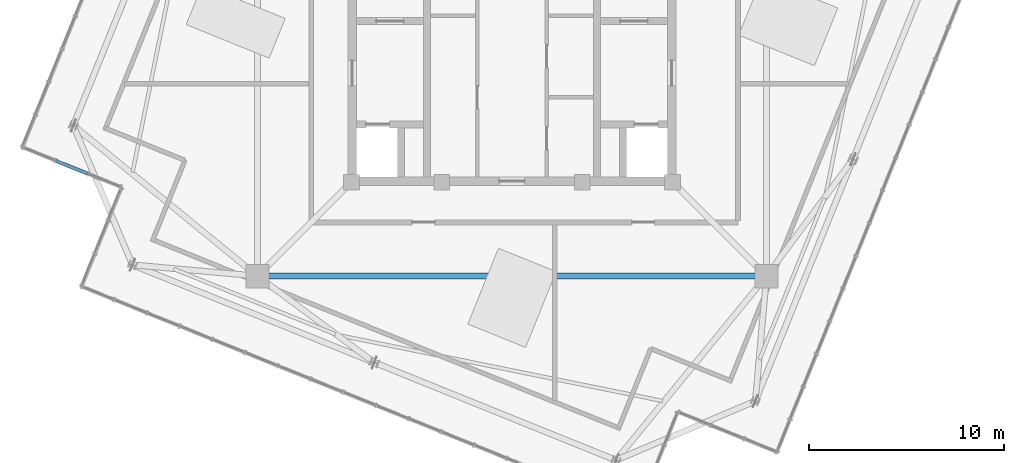
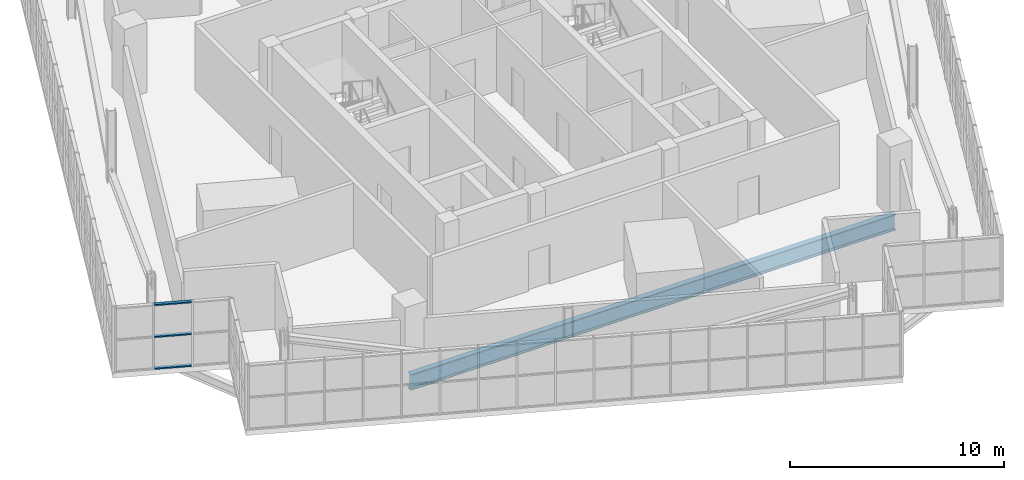
# One storey, part 5 of 26: 3 members, 1 beam, 1 element without a shape of its own.
"""IFC4 building model written with IfcOpenShell, lengths in metres."""

from ifc_helpers import new_model, si_unit, direction, frame, origin, origin_2d, place, context, subcontext, project, spatial, hollow_rectangle, i_section, extrude, source, transform, mapped, material, layer, layer_set, material_profile, profile_set, type_object, element, aggregate, save


model = new_model("IFC4")

# Units and contexts
model_context = context("Model", 3, precision=1e-05, world=origin(), true_north=direction((0.0, 1.0)))
body_context = subcontext(model_context, "Body", "Model", "MODEL_VIEW")
ifc_project = project(units=[si_unit("LENGTHUNIT", "METRE"), si_unit("AREAUNIT", "SQUARE_METRE"), si_unit("VOLUMEUNIT", "CUBIC_METRE"), si_unit("PLANEANGLEUNIT", "RADIAN"), si_unit("MASSUNIT", "GRAM", prefix="KILO"), si_unit("THERMODYNAMICTEMPERATUREUNIT", "KELVIN")], contexts=[model_context])

# Site, building, storey
site_placement = place(None, origin())
site = spatial("IfcSite", under=ifc_project, at=site_placement, CompositionType="ELEMENT")
building_placement = place(site_placement, origin())
building = spatial("IfcBuilding", under=site, at=building_placement, Name="Kosmvard Interchange Tower", CompositionType="ELEMENT")
storey_placement = place(building_placement, frame((0.0, 0.0, 333.60009765625)))
storey = spatial("IfcBuildingStorey", under=building, at=storey_placement, Name="L82", CompositionType="ELEMENT", Elevation=333.60009765625)

# Beam
ifc_material_1 = material(Name="Steel S355", Category="steel")
ifc_material_profile_1 = material_profile(ifc_material_1, i_section(OverallWidth=0.300048828125, OverallDepth=0.89990234375, WebThickness=0.0185546875, FlangeThickness=0.034912109375, FilletRadius=0.030029296875, at=origin_2d()), Name="HEB 900")
ifc_profile_set_1 = profile_set([ifc_material_profile_1], Name="Steel S355")
beam_type = type_object("IfcBeamType", Name="Mega-Column Ring Girder HEB 900 S355", PredefinedType="BEAM", material=ifc_profile_set_1)
shared_shape_1 = source(origin(), body_context, "Body", "SweptSolid", [
    extrude(i_section(OverallWidth=0.300048828125, OverallDepth=0.89990234375, WebThickness=0.0185546875, FlangeThickness=0.034912109375, FilletRadius=0.030029296875, at=origin_2d()), origin(), (0.0, 0.0, 1.0), 26.162109375),
])
beam_placement = place(storey_placement, frame((-13.0810546875, -13.0810546875, -0.75), z_axis=(1.0, 0.0, 0.0), x_axis=(0.0, 1.0, 0.0)))
element("IfcBeam", 1, at=beam_placement, inside=storey, type_object=beam_type, Name="L82 Mega-Column Ring Girder 1", PredefinedType="BEAM", context=body_context, shape_type="MappedRepresentation", body=[
    mapped(shared_shape_1, transform((0.0, 0.0, 0.0), scale=1.0)),
])

# Curtain wall, members
ifc_material_2 = material(Name="Architectural anodised aluminium", Category="aluminium")
ifc_layer = layer(ifc_material_2, 0.25, Name="Architectural anodised aluminium")
ifc_layer_set = layer_set([ifc_layer], Name="Architectural anodised aluminium")
curtain_wall_type = type_object("IfcCurtainWallType", Name="CW-6 Illuminated Crown Lantern Curtain Wall", PredefinedType="NOTDEFINED", material=ifc_layer_set)
curtain_wall_placement = place(storey_placement, origin())
curtain_wall = element("IfcCurtainWall", 2, at=curtain_wall_placement, inside=storey, type_object=curtain_wall_type, Name="L82 Crown Lantern Glazing Face 08", PredefinedType="NOTDEFINED")
ifc_material_profile_2 = material_profile(ifc_material_2, hollow_rectangle(XDim=0.179931640625, YDim=0.070068359375, WallThickness=0.0048828125, at=origin_2d()), Name="CWT 180x70x5")
ifc_profile_set_2 = profile_set([ifc_material_profile_2], Name="Architectural anodised aluminium")
member_type = type_object("IfcMemberType", Name="Heavy Lantern CW Transom 180x70 Aluminium", PredefinedType="USERDEFINED", material=ifc_profile_set_2)
shared_shape_2 = source(origin(), body_context, "Body", "SweptSolid", [
    extrude(hollow_rectangle(XDim=0.179931640625, YDim=0.070068359375, WallThickness=0.0048828125, at=origin_2d()), origin(), (0.0, 0.0, 1.0), 1.75341796875),
])
member_1_placement = place(storey_placement, frame((-23.436279296875, -7.162109375, 0.034912109375), z_axis=(0.927155350429, -0.374677135907, 0.0), x_axis=(0.374677135907, 0.927155350429, 0.0)))
member_1 = element("IfcMember", 3, at=member_1_placement, type_object=member_type, Name="CW-6 transom 2.1", ObjectType="TRANSOM", PredefinedType="USERDEFINED", context=body_context, shape_type="MappedRepresentation", body=[
    mapped(shared_shape_2, transform((0.0, 0.0, 0.0), scale=1.0)),
])
member_2_placement = place(storey_placement, frame((-23.436279296875, -7.162109375, 1.849853515625), z_axis=(0.927155350429, -0.374677135907, 0.0), x_axis=(0.374677135907, 0.927155350429, 0.0)))
member_2 = element("IfcMember", 4, at=member_2_placement, type_object=member_type, Name="CW-6 transom 2.2", ObjectType="TRANSOM", PredefinedType="USERDEFINED", context=body_context, shape_type="MappedRepresentation", body=[
    mapped(shared_shape_2, transform((0.0, 0.0, 0.0), scale=1.0)),
])
member_3_placement = place(storey_placement, frame((-23.436279296875, -7.162109375, 3.664794921875), z_axis=(0.927155350429, -0.374677135907, 0.0), x_axis=(0.374677135907, 0.927155350429, 0.0)))
member_3 = element("IfcMember", 5, at=member_3_placement, type_object=member_type, Name="CW-6 transom 2.3", ObjectType="TRANSOM", PredefinedType="USERDEFINED", context=body_context, shape_type="MappedRepresentation", body=[
    mapped(shared_shape_2, transform((0.0, 0.0, 0.0), scale=1.0)),
])
aggregate(curtain_wall, [member_1, member_2, member_3])

save(model, "model.ifc")
